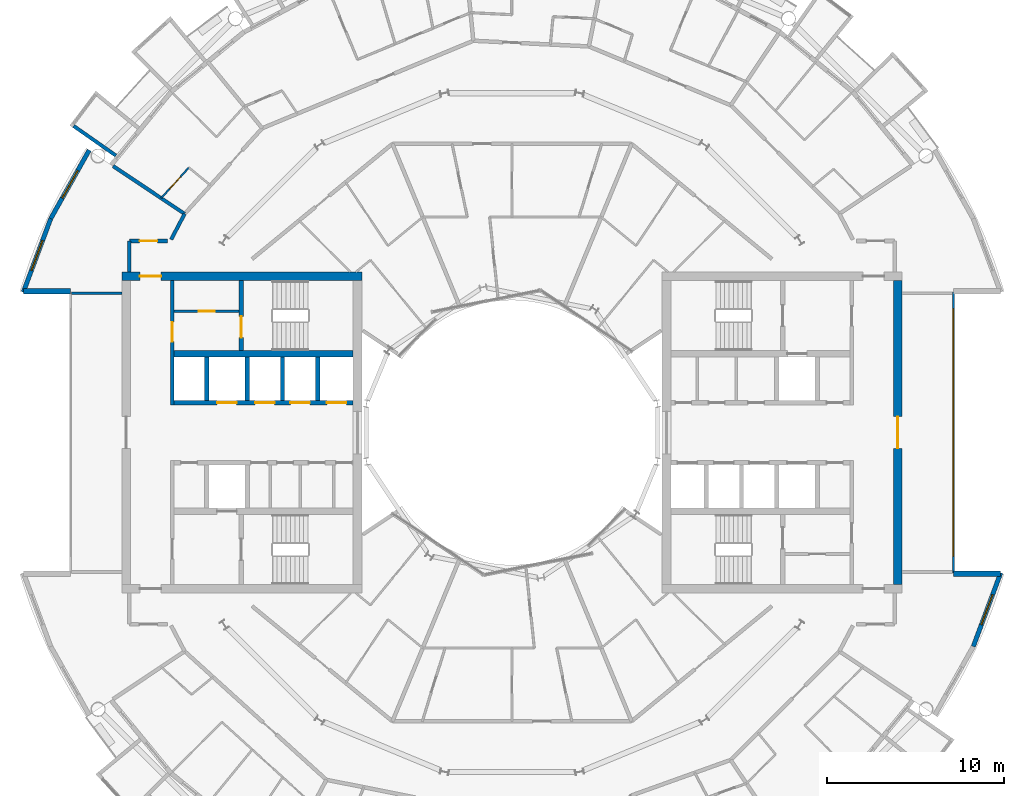
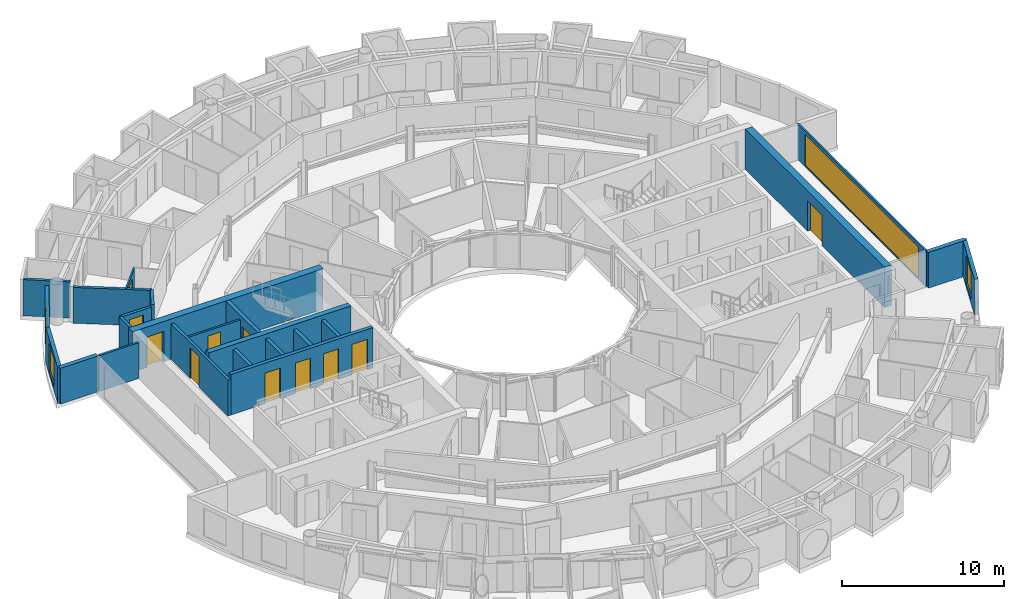
# One storey, part 19 of 28: 24 walls, 11 doors, 4 windows, 15 openings.
"""IFC4 building model written with IfcOpenShell, lengths in metres."""

from ifc_helpers import new_model, si_unit, direction, frame, frame_2d, origin, place, context, subcontext, project, spatial, rectangle, extrude, material, layer, layer_set, type_object, element, fill, save


model = new_model("IFC4")

# Units and contexts
model_context = context("Model", 3, precision=1e-05, world=origin(), true_north=direction((0.0, 1.0)))
body_context = subcontext(model_context, "Body", "Model", "MODEL_VIEW")
ifc_project = project(units=[si_unit("LENGTHUNIT", "METRE"), si_unit("AREAUNIT", "SQUARE_METRE"), si_unit("VOLUMEUNIT", "CUBIC_METRE"), si_unit("PLANEANGLEUNIT", "RADIAN"), si_unit("MASSUNIT", "GRAM", prefix="KILO")], contexts=[model_context])

# Site, building, storey
site_placement = place(None, origin())
site = spatial("IfcSite", under=ifc_project, at=site_placement, CompositionType="ELEMENT")
building_placement = place(site_placement, origin())
building = spatial("IfcBuilding", under=site, at=building_placement, Name="Maasbend Ring Residences", CompositionType="ELEMENT")
storey_placement = place(building_placement, frame((0.0, 0.0, 173.800048828125)))
storey = spatial("IfcBuildingStorey", under=building, at=storey_placement, Name="L50", CompositionType="ELEMENT", Elevation=173.800048828125)

# Wall, openings, doors
ifc_material_1 = material(Name="Concrete C60/75", Category="concrete")
ifc_layer_1 = layer(ifc_material_1, 0.25)
ifc_layer_set_1 = layer_set([ifc_layer_1], Name="Concrete C60/75")
wall_type_1 = type_object("IfcWallType", Name="CORE WALL 250 C60/75", PredefinedType="SHEAR", material=ifc_layer_set_1)
wall_1_placement = place(storey_placement, frame((-9.0, 1.699951171875, 0.0), z_axis=(0.0, 0.0, 1.0), x_axis=(-1.0, 0.0, 0.0)))
wall_1 = element("IfcWall", 1, at=wall_1_placement, inside=storey, type_object=wall_type_1, Name="L50 core W wall SPS", PredefinedType="SHEAR", context=body_context, shape_type="SweptSolid", body=[
    extrude(rectangle(XDim=10.14990234375, YDim=0.25, at=frame_2d((5.074951171875, 0.0))), origin(), (0.0, 0.0, 1.0), 3.050048828125),
])
opening_1_placement = place(wall_1_placement, frame((0.387451171875, 0.0, 0.0)))
opening_1 = element("IfcOpeningElement", 2, at=opening_1_placement, cuts=wall_1, Name="Opening LD-W5002", PredefinedType="OPENING", context=body_context, shape_type="SweptSolid", body=[
    extrude(rectangle(XDim=1.10009765625, YDim=2.300048828125, at=frame_2d((0.550048828125, 1.14990234375))), frame((0.0, 0.135009765625, 0.0), z_axis=(0.0, -1.0, 0.0), x_axis=(1.0, 0.0, 0.0)), (0.0, 0.0, 1.0), 0.27001953125),
])
opening_2_placement = place(wall_1_placement, frame((2.449951171875, 0.0, 0.0)))
opening_2 = element("IfcOpeningElement", 3, at=opening_2_placement, cuts=wall_1, Name="Opening LD-W5003", PredefinedType="OPENING", context=body_context, shape_type="SweptSolid", body=[
    extrude(rectangle(XDim=1.10009765625, YDim=2.300048828125, at=frame_2d((0.550048828125, 1.14990234375))), frame((0.0, 0.135009765625, 0.0), z_axis=(0.0, -1.0, 0.0), x_axis=(1.0, 0.0, 0.0)), (0.0, 0.0, 1.0), 0.27001953125),
])
opening_3_placement = place(wall_1_placement, frame((4.449951171875, 0.0, 0.0)))
opening_3 = element("IfcOpeningElement", 4, at=opening_3_placement, cuts=wall_1, Name="Opening LD-W5004", PredefinedType="OPENING", context=body_context, shape_type="SweptSolid", body=[
    extrude(rectangle(XDim=1.10009765625, YDim=2.300048828125, at=frame_2d((0.550048828125, 1.14990234375))), frame((0.0, 0.135009765625, 0.0), z_axis=(0.0, -1.0, 0.0), x_axis=(1.0, 0.0, 0.0)), (0.0, 0.0, 1.0), 0.27001953125),
])
opening_4_placement = place(wall_1_placement, frame((6.60009765625, 0.0, 0.0)))
opening_4 = element("IfcOpeningElement", 5, at=opening_4_placement, cuts=wall_1, Name="Opening LD-W5005", PredefinedType="OPENING", context=body_context, shape_type="SweptSolid", body=[
    extrude(rectangle(XDim=1.10009765625, YDim=2.300048828125, at=frame_2d((0.550048828125, 1.14990234375))), frame((0.0, 0.135009765625, 0.0), z_axis=(0.0, -1.0, 0.0), x_axis=(1.0, 0.0, 0.0)), (0.0, 0.0, 1.0), 0.27001953125),
])
ifc_material_2 = material(Name="Stainless steel 316", Category="steel")
door_type_1 = type_object("IfcDoorType", Name="LANDING DOOR 1100 X 2300 FD60", OperationType="DOUBLE_DOOR_SLIDING", PredefinedType="DOOR", material=ifc_material_2)
door_1_placement = place(opening_1_placement, origin())
door_1 = element("IfcDoor", 6, at=door_1_placement, inside=storey, type_object=door_type_1, Name="Landing door HR-W1 L50", OperationType="DOUBLE_DOOR_SLIDING", OverallHeight=2.300048828125, OverallWidth=1.10009765625, PredefinedType="DOOR", context=body_context, shape_type="SweptSolid", body=[
    extrude(rectangle(XDim=1.10009765625, YDim=2.300048828125, at=frame_2d((0.550048828125, 1.14990234375))), frame((0.0, 0.02490234375, 0.0), z_axis=(0.0, -1.0, 0.0), x_axis=(1.0, 0.0, 0.0)), (0.0, 0.0, 1.0), 0.050048828125),
])
fill(opening_1, door_1)
door_2_placement = place(opening_2_placement, origin())
door_2 = element("IfcDoor", 7, at=door_2_placement, inside=storey, type_object=door_type_1, Name="Landing door HR-W2 L50", OperationType="DOUBLE_DOOR_SLIDING", OverallHeight=2.300048828125, OverallWidth=1.10009765625, PredefinedType="DOOR", context=body_context, shape_type="SweptSolid", body=[
    extrude(rectangle(XDim=1.10009765625, YDim=2.300048828125, at=frame_2d((0.550048828125, 1.14990234375))), frame((0.0, 0.02490234375, 0.0), z_axis=(0.0, -1.0, 0.0), x_axis=(1.0, 0.0, 0.0)), (0.0, 0.0, 1.0), 0.050048828125),
])
fill(opening_2, door_2)
door_3_placement = place(opening_3_placement, origin())
door_3 = element("IfcDoor", 8, at=door_3_placement, inside=storey, type_object=door_type_1, Name="Landing door HR-W3 L50", OperationType="DOUBLE_DOOR_SLIDING", OverallHeight=2.300048828125, OverallWidth=1.10009765625, PredefinedType="DOOR", context=body_context, shape_type="SweptSolid", body=[
    extrude(rectangle(XDim=1.10009765625, YDim=2.300048828125, at=frame_2d((0.550048828125, 1.14990234375))), frame((0.0, 0.02490234375, 0.0), z_axis=(0.0, -1.0, 0.0), x_axis=(1.0, 0.0, 0.0)), (0.0, 0.0, 1.0), 0.050048828125),
])
fill(opening_3, door_3)
door_4_placement = place(opening_4_placement, origin())
door_4 = element("IfcDoor", 9, at=door_4_placement, inside=storey, type_object=door_type_1, Name="Landing door SV-W L50", OperationType="DOUBLE_DOOR_SLIDING", OverallHeight=2.300048828125, OverallWidth=1.10009765625, PredefinedType="DOOR", context=body_context, shape_type="SweptSolid", body=[
    extrude(rectangle(XDim=1.10009765625, YDim=2.300048828125, at=frame_2d((0.550048828125, 1.14990234375))), frame((0.0, 0.02490234375, 0.0), z_axis=(0.0, -1.0, 0.0), x_axis=(1.0, 0.0, 0.0)), (0.0, 0.0, 1.0), 0.050048828125),
])
fill(opening_4, door_4)

# Wall, opening, door
wall_2_placement = place(storey_placement, frame((-15.324951171875, 8.60009765625, 0.0), z_axis=(0.0, 0.0, 1.0), x_axis=(0.0, -1.0, 0.0)))
wall_2 = element("IfcWall", 10, at=wall_2_placement, inside=storey, type_object=wall_type_1, Name="L50 core W wall STES", PredefinedType="SHEAR", context=body_context, shape_type="SweptSolid", body=[
    extrude(rectangle(XDim=3.9501953125, YDim=0.25, at=frame_2d((1.97509765625, 0.0))), origin(), (0.0, 0.0, 1.0), 3.050048828125),
])
opening_5_placement = place(wall_2_placement, frame((2.02490234375, 0.0, 0.0)))
opening_5 = element("IfcOpeningElement", 11, at=opening_5_placement, cuts=wall_2, Name="Opening D-W5013", PredefinedType="OPENING", context=body_context, shape_type="SweptSolid", body=[
    extrude(rectangle(XDim=1.199951171875, YDim=2.300048828125, at=frame_2d((0.60009765625, 1.14990234375))), frame((0.0, 0.135009765625, 0.0), z_axis=(0.0, -1.0, 0.0), x_axis=(1.0, 0.0, 0.0)), (0.0, 0.0, 1.0), 0.27001953125),
])
ifc_material_3 = material(Name="Steel, powder coated", Category="steel")
door_type_2 = type_object("IfcDoorType", Name="STAIR DOOR 1200 X 2300 FD60", OperationType="NOTDEFINED", PredefinedType="DOOR", material=ifc_material_3)
door_5_placement = place(opening_5_placement, origin())
door_5 = element("IfcDoor", 12, at=door_5_placement, inside=storey, type_object=door_type_2, Name="Stair door ST-W L50", OperationType="SINGLE_SWING_LEFT", OverallHeight=2.300048828125, OverallWidth=1.199951171875, PredefinedType="DOOR", context=body_context, shape_type="SweptSolid", body=[
    extrude(rectangle(XDim=1.199951171875, YDim=2.300048828125, at=frame_2d((0.60009765625, 1.14990234375))), frame((0.0, 0.02490234375, 0.0), z_axis=(0.0, -1.0, 0.0), x_axis=(1.0, 0.0, 0.0)), (0.0, 0.0, 1.0), 0.050048828125),
])
fill(opening_5, door_5)

# Wall
ifc_material_4 = material(Name="Concrete C60/75", Category="concrete")
ifc_layer_2 = layer(ifc_material_4, 0.375)
ifc_layer_set_2 = layer_set([ifc_layer_2], Name="Concrete C60/75")
wall_type_2 = type_object("IfcWallType", Name="CORE WALL 375 C60/75", PredefinedType="SHEAR", material=ifc_layer_set_2)
wall_3_placement = place(storey_placement, frame((-9.0, 4.46240234375, 0.0), z_axis=(0.0, 0.0, 1.0), x_axis=(-1.0, 0.0, 0.0)))
element("IfcWall", 13, at=wall_3_placement, inside=storey, type_object=wall_type_2, Name="L50 core W wall BS", PredefinedType="SHEAR", context=body_context, shape_type="SweptSolid", body=[
    extrude(rectangle(XDim=10.14990234375, YDim=0.375, at=frame_2d((5.074951171875, 0.0))), origin(), (0.0, 0.0, 1.0), 3.050048828125),
])

# Wall, opening, door
ifc_material_5 = material(Name="Concrete C60/75", Category="concrete")
ifc_layer_3 = layer(ifc_material_5, 0.5)
ifc_layer_set_3 = layer_set([ifc_layer_3], Name="Concrete C60/75")
wall_type_3 = type_object("IfcWallType", Name="CORE WALL 500 C60/75", PredefinedType="SHEAR", material=ifc_layer_set_3)
wall_4_placement = place(storey_placement, frame((21.85009765625, 8.60009765625, 0.0), z_axis=(0.0, 0.0, 1.0), x_axis=(0.0, -1.0, 0.0)))
wall_4 = element("IfcWall", 14, at=wall_4_placement, inside=storey, type_object=wall_type_3, Name="L50 core E wall POUT", PredefinedType="SHEAR", context=body_context, shape_type="SweptSolid", body=[
    extrude(rectangle(XDim=17.2001953125, YDim=0.5, at=frame_2d((8.60009765625, 0.0))), origin(), (0.0, 0.0, 1.0), 3.050048828125),
])
opening_6_placement = place(wall_4_placement, frame((7.699951171875, 0.0, 0.0)))
opening_6 = element("IfcOpeningElement", 15, at=opening_6_placement, cuts=wall_4, Name="Opening D-E5018", PredefinedType="OPENING", context=body_context, shape_type="SweptSolid", body=[
    extrude(rectangle(XDim=1.800048828125, YDim=2.300048828125, at=frame_2d((0.89990234375, 1.14990234375))), frame((0.0, 0.260009765625, 0.0), z_axis=(0.0, -1.0, 0.0), x_axis=(1.0, 0.0, 0.0)), (0.0, 0.0, 1.0), 0.52001953125),
])
ifc_material_6 = material(Name="Aluminium frame, clear glass", Category="aluminium")
door_type_3 = type_object("IfcDoorType", Name="ENTRANCE DOOR 1800 X 2300 FD60", OperationType="NOTDEFINED", PredefinedType="DOOR", material=ifc_material_6)
door_6_placement = place(opening_6_placement, origin())
door_6 = element("IfcDoor", 16, at=door_6_placement, inside=storey, type_object=door_type_3, Name="Lobby glazed door L50", OperationType="SINGLE_SWING_LEFT", OverallHeight=2.300048828125, OverallWidth=1.800048828125, PredefinedType="DOOR", context=body_context, shape_type="SweptSolid", body=[
    extrude(rectangle(XDim=1.800048828125, YDim=2.300048828125, at=frame_2d((0.89990234375, 1.14990234375))), frame((0.0, 0.02490234375, 0.0), z_axis=(0.0, -1.0, 0.0), x_axis=(1.0, 0.0, 0.0)), (0.0, 0.0, 1.0), 0.050048828125),
])
fill(opening_6, door_6)

wall_5_placement = place(storey_placement, frame((-8.5, 8.85009765625, 0.0), z_axis=(0.0, 0.0, 1.0), x_axis=(-1.0, 0.0, 0.0)))
wall_5 = element("IfcWall", 17, at=wall_5_placement, inside=storey, type_object=wall_type_3, Name="L50 core W wall PS", PredefinedType="SHEAR", context=body_context, shape_type="SweptSolid", body=[
    extrude(rectangle(XDim=13.60009765625, YDim=0.5, at=frame_2d((6.800048828125, 0.0))), origin(), (0.0, 0.0, 1.0), 3.050048828125),
])
opening_7_placement = place(wall_5_placement, frame((11.375, 0.0, 0.0)))
opening_7 = element("IfcOpeningElement", 18, at=opening_7_placement, cuts=wall_5, Name="Opening D-W5017", PredefinedType="OPENING", context=body_context, shape_type="SweptSolid", body=[
    extrude(rectangle(XDim=1.199951171875, YDim=2.300048828125, at=frame_2d((0.60009765625, 1.14990234375))), frame((0.0, 0.260009765625, 0.0), z_axis=(0.0, -1.0, 0.0), x_axis=(1.0, 0.0, 0.0)), (0.0, 0.0, 1.0), 0.52001953125),
])
ifc_material_7 = material(Name="Steel, powder coated", Category="steel")
door_type_4 = type_object("IfcDoorType", Name="CORRIDOR DOOR 1200 X 2300 FD30S", OperationType="NOTDEFINED", PredefinedType="DOOR", material=ifc_material_7)
door_7_placement = place(opening_7_placement, origin())
door_7 = element("IfcDoor", 19, at=door_7_placement, inside=storey, type_object=door_type_4, Name="Corridor door L50", OperationType="SINGLE_SWING_LEFT", OverallHeight=2.300048828125, OverallWidth=1.199951171875, PredefinedType="DOOR", context=body_context, shape_type="SweptSolid", body=[
    extrude(rectangle(XDim=1.199951171875, YDim=2.300048828125, at=frame_2d((0.60009765625, 1.14990234375))), frame((0.0, 0.02490234375, 0.0), z_axis=(0.0, -1.0, 0.0), x_axis=(1.0, 0.0, 0.0)), (0.0, 0.0, 1.0), 0.050048828125),
])
fill(opening_7, door_7)

ifc_material_8 = material(Name="Concrete C30/37", Category="concrete")
ifc_layer_4 = layer(ifc_material_8, 0.199951171875)
ifc_layer_set_4 = layer_set([ifc_layer_4], Name="Concrete C30/37")
wall_type_4 = type_object("IfcWallType", Name="CORRIDOR WALL 200 CONCRETE", PredefinedType="PARTITIONING", material=ifc_layer_set_4)
wall_6_placement = place(storey_placement, frame((-21.675048828125, 10.85009765625, 0.0), z_axis=(0.0, 0.0, 1.0), x_axis=(1.0, 0.0, 0.0)))
wall_6 = element("IfcWall", 20, at=wall_6_placement, inside=storey, type_object=wall_type_4, Name="U-L50-w096", PredefinedType="PARTITIONING", context=body_context, shape_type="SweptSolid", body=[
    extrude(rectangle(XDim=2.171142578125, YDim=0.199951171875, at=frame_2d((1.08544921875, 0.0))), origin(), (0.0, 0.0, 1.0), 2.699951171875),
])
opening_8_placement = place(wall_6_placement, frame((0.5849609375, 0.0, 0.0)))
opening_8 = element("IfcOpeningElement", 21, at=opening_8_placement, cuts=wall_6, Name="Opening D-5066", PredefinedType="OPENING", context=body_context, shape_type="SweptSolid", body=[
    extrude(rectangle(XDim=1.0, YDim=2.300048828125, at=frame_2d((0.5, 1.14990234375))), frame((0.0, 0.10986328125, 0.0), z_axis=(0.0, -1.0, 0.0), x_axis=(1.0, 0.0, 0.0)), (0.0, 0.0, 1.0), 0.219970703125),
])
ifc_material_9 = material(Name="Timber, painted", Category="wood")
door_type_5 = type_object("IfcDoorType", Name="ROOM DOOR 1000 X 2300", OperationType="NOTDEFINED", PredefinedType="DOOR", material=ifc_material_9)
door_8_placement = place(opening_8_placement, origin())
door_8 = element("IfcDoor", 22, at=door_8_placement, inside=storey, type_object=door_type_5, Name="D-5066", OperationType="SINGLE_SWING_LEFT", OverallHeight=2.300048828125, OverallWidth=1.0, PredefinedType="DOOR", context=body_context, shape_type="SweptSolid", body=[
    extrude(rectangle(XDim=1.0, YDim=2.300048828125, at=frame_2d((0.5, 1.14990234375))), frame((0.0, 0.02490234375, 0.0), z_axis=(0.0, -1.0, 0.0), x_axis=(1.0, 0.0, 0.0)), (0.0, 0.0, 1.0), 0.050048828125),
])
fill(opening_8, door_8)

# Walls
wall_7_placement = place(storey_placement, frame((-21.675048828125, 9.10009765625, 0.0), z_axis=(0.0, 0.0, 1.0), x_axis=(0.0, 1.0, 0.0)))
element("IfcWall", 23, at=wall_7_placement, inside=storey, type_object=wall_type_4, Name="U-L50-w109", PredefinedType="PARTITIONING", context=body_context, shape_type="SweptSolid", body=[
    extrude(rectangle(XDim=1.75, YDim=0.199951171875, at=frame_2d((0.875, 0.0))), origin(), (0.0, 0.0, 1.0), 2.699951171875),
])
wall_8_placement = place(storey_placement, frame((-19.306884765625, 10.93505859375, 0.0), z_axis=(0.0, 0.0, 1.0), x_axis=(0.465605550524, 0.884992356646, 0.0)))
element("IfcWall", 24, at=wall_8_placement, inside=storey, type_object=wall_type_4, Name="U-L50-w114", PredefinedType="PARTITIONING", context=body_context, shape_type="SweptSolid", body=[
    extrude(rectangle(XDim=1.642822265625, YDim=0.199951171875, at=frame_2d((0.8212890625, 0.0))), origin(), (0.0, 0.0, 1.0), 2.699951171875),
])
ifc_material_10 = material(Name="Pale anodised aluminium panel", Category="aluminium")
ifc_layer_5 = layer(ifc_material_10, 0.199951171875)
ifc_layer_set_5 = layer_set([ifc_layer_5], Name="EW-BOX")
wall_type_5 = type_object("IfcWallType", Name="EW-BOX", PredefinedType="SOLIDWALL", material=ifc_layer_set_5)
wall_9_placement = place(storey_placement, frame((-22.43310546875, 15.68798828125, -0.030029296875), z_axis=(0.0, 0.0, 1.0), x_axis=(-0.819373043115, 0.573260687834, 0.0)))
element("IfcWall", 25, at=wall_9_placement, inside=storey, type_object=wall_type_5, Name="Box side wall N20 right", PredefinedType="SOLIDWALL", context=body_context, shape_type="SweptSolid", body=[
    extrude(rectangle(XDim=2.92529296875, YDim=0.199951171875, at=frame_2d((1.462646484375, 0.0))), origin(), (0.0, 0.0, 1.0), 2.72998046875),
])

# Wall, opening, window
ifc_material_11 = material(Name="Aluminium clad insulated panel", Category="aluminium")
ifc_layer_6 = layer(ifc_material_11, 0.25)
ifc_layer_set_6 = layer_set([ifc_layer_6], Name="EW-HORN")
wall_type_6 = type_object("IfcWallType", Name="EW-HORN", PredefinedType="SOLIDWALL", material=ifc_layer_set_6)
wall_10_placement = place(storey_placement, frame((26.126953125, -12.116943359375, 0.0), z_axis=(0.0, 0.0, 1.0), x_axis=(0.349247811493, 0.937030397675, 0.0)))
wall_10 = element("IfcWall", 26, at=wall_10_placement, inside=storey, type_object=wall_type_6, Name="Horn wall 2.2", PredefinedType="SOLIDWALL", context=body_context, shape_type="SweptSolid", body=[
    extrude(rectangle(XDim=4.4521484375, YDim=0.25, at=frame_2d((2.22607421875, 0.0))), origin(), (0.0, 0.0, 1.0), 2.699951171875),
])
opening_9_placement = place(wall_10_placement, frame((1.32666015625, 0.0, 0.300048828125)))
opening_9 = element("IfcOpeningElement", 27, at=opening_9_placement, cuts=wall_10, Name="Opening W-BX", PredefinedType="OPENING", context=body_context, shape_type="SweptSolid", body=[
    extrude(rectangle(XDim=1.800048828125, YDim=2.10009765625, at=frame_2d((0.89990234375, 1.050048828125))), frame((0.0, 0.135009765625, 0.0), z_axis=(0.0, -1.0, 0.0), x_axis=(1.0, 0.0, 0.0)), (0.0, 0.0, 1.0), 0.27001953125),
])
ifc_material_12 = material(Name="Aluminium and clear glass", Category="aluminium")
window_type_1 = type_object("IfcWindowType", Name="W-BX", PartitioningType="DOUBLE_PANEL_VERTICAL", PredefinedType="WINDOW", material=ifc_material_12)
window_1_placement = place(opening_9_placement, origin())
window_1 = element("IfcWindow", 28, at=window_1_placement, inside=storey, type_object=window_type_1, Name="Horn window 2.2", OverallHeight=2.10009765625, OverallWidth=1.800048828125, PartitioningType="SINGLE_PANEL", PredefinedType="WINDOW", context=body_context, shape_type="SweptSolid", body=[
    extrude(rectangle(XDim=1.800048828125, YDim=2.10009765625, at=frame_2d((0.89990234375, 1.050048828125))), frame((0.0, 0.030029296875, 0.0), z_axis=(0.0, -1.0, 0.0), x_axis=(1.0, 0.0, 0.0)), (0.0, 0.0, 1.0), 0.06005859375),
])
fill(opening_9, window_1)

wall_11_placement = place(storey_placement, frame((-23.946044921875, 16.0, 0.0), z_axis=(0.0, 0.0, 1.0), x_axis=(-0.489696356642, -0.871893042919, 0.0)))
wall_11 = element("IfcWall", 29, at=wall_11_placement, inside=storey, type_object=wall_type_6, Name="Horn wall 4.1", PredefinedType="SOLIDWALL", context=body_context, shape_type="SweptSolid", body=[
    extrude(rectangle(XDim=4.45361328125, YDim=0.25, at=frame_2d((2.226806640625, 0.0))), origin(), (0.0, 0.0, 1.0), 2.699951171875),
])
opening_10_placement = place(wall_11_placement, frame((1.32666015625, 0.0, 0.300048828125)))
opening_10 = element("IfcOpeningElement", 30, at=opening_10_placement, cuts=wall_11, Name="Opening W-BX", PredefinedType="OPENING", context=body_context, shape_type="SweptSolid", body=[
    extrude(rectangle(XDim=1.800048828125, YDim=2.10009765625, at=frame_2d((0.89990234375, 1.050048828125))), frame((0.0, 0.135009765625, 0.0), z_axis=(0.0, -1.0, 0.0), x_axis=(1.0, 0.0, 0.0)), (0.0, 0.0, 1.0), 0.27001953125),
])
window_2_placement = place(opening_10_placement, origin())
window_2 = element("IfcWindow", 31, at=window_2_placement, inside=storey, type_object=window_type_1, Name="Horn window 4.1", OverallHeight=2.10009765625, OverallWidth=1.800048828125, PartitioningType="SINGLE_PANEL", PredefinedType="WINDOW", context=body_context, shape_type="SweptSolid", body=[
    extrude(rectangle(XDim=1.800048828125, YDim=2.10009765625, at=frame_2d((0.89990234375, 1.050048828125))), frame((0.0, 0.030029296875, 0.0), z_axis=(0.0, -1.0, 0.0), x_axis=(1.0, 0.0, 0.0)), (0.0, 0.0, 1.0), 0.06005859375),
])
fill(opening_10, window_2)

wall_12_placement = place(storey_placement, frame((-26.126953125, 12.116943359375, 0.0), z_axis=(0.0, 0.0, 1.0), x_axis=(-0.349247811493, -0.937030397675, 0.0)))
wall_12 = element("IfcWall", 32, at=wall_12_placement, inside=storey, type_object=wall_type_6, Name="Horn wall 4.2", PredefinedType="SOLIDWALL", context=body_context, shape_type="SweptSolid", body=[
    extrude(rectangle(XDim=4.4521484375, YDim=0.25, at=frame_2d((2.22607421875, 0.0))), origin(), (0.0, 0.0, 1.0), 2.699951171875),
])
opening_11_placement = place(wall_12_placement, frame((1.32666015625, 0.0, 0.300048828125)))
opening_11 = element("IfcOpeningElement", 33, at=opening_11_placement, cuts=wall_12, Name="Opening W-BX", PredefinedType="OPENING", context=body_context, shape_type="SweptSolid", body=[
    extrude(rectangle(XDim=1.800048828125, YDim=2.10009765625, at=frame_2d((0.89990234375, 1.050048828125))), frame((0.0, 0.135009765625, 0.0), z_axis=(0.0, -1.0, 0.0), x_axis=(1.0, 0.0, 0.0)), (0.0, 0.0, 1.0), 0.27001953125),
])
window_3_placement = place(opening_11_placement, origin())
window_3 = element("IfcWindow", 34, at=window_3_placement, inside=storey, type_object=window_type_1, Name="Horn window 4.2", OverallHeight=2.10009765625, OverallWidth=1.800048828125, PartitioningType="SINGLE_PANEL", PredefinedType="WINDOW", context=body_context, shape_type="SweptSolid", body=[
    extrude(rectangle(XDim=1.800048828125, YDim=2.10009765625, at=frame_2d((0.89990234375, 1.050048828125))), frame((0.0, 0.030029296875, 0.0), z_axis=(0.0, -1.0, 0.0), x_axis=(1.0, 0.0, 0.0)), (0.0, 0.0, 1.0), 0.06005859375),
])
fill(opening_11, window_3)

# Walls
ifc_material_13 = material(Name="Aluminium clad insulated panel", Category="aluminium")
ifc_layer_7 = layer(ifc_material_13, 0.300048828125)
ifc_layer_set_7 = layer_set([ifc_layer_7], Name="EW-RET")
wall_type_7 = type_object("IfcWallType", Name="EW-RET", PredefinedType="SOLIDWALL", material=ifc_layer_set_7)
for number, where, z_axis, x_axis, name in (
    (35, (25.0, -8.0, 0.0), (0.0, 0.0, 1.0), (1.0, 0.0, 0.0), "Notch return wall east south"),
    (36, (-25.0, 8.0, 0.0), (0.0, 0.0, 1.0), (-1.0, 0.0, 0.0), "Notch return wall west north"),
):
    element("IfcWall", number, at=place(storey_placement, frame(where, z_axis=z_axis, x_axis=x_axis)), inside=storey, type_object=wall_type_7, Name=name, PredefinedType="SOLIDWALL", context=body_context, shape_type="SweptSolid", body=[
        extrude(rectangle(XDim=2.6669921875, YDim=0.300048828125, at=frame_2d((1.33349609375, 0.0))), origin(), (0.0, 0.0, 1.0), 2.699951171875),
    ])

# Wall, opening, window
ifc_material_14 = material(Name="Aluminium frame and clear glass", Category="aluminium")
ifc_layer_8 = layer(ifc_material_14, 0.1201171875)
ifc_layer_set_8 = layer_set([ifc_layer_8], Name="GLAZED SCREEN WALL 120 EI 60")
wall_type_8 = type_object("IfcWallType", Name="GLAZED SCREEN WALL 120 EI 60", PredefinedType="PARTITIONING", material=ifc_layer_set_8)
wall_13_placement = place(storey_placement, frame((25.0, -7.949951171875, 0.0), z_axis=(0.0, 0.0, 1.0), x_axis=(0.0, 1.0, 0.0)))
wall_13 = element("IfcWall", 37, at=wall_13_placement, inside=storey, type_object=wall_type_8, Name="L50 core E wall FACE", PredefinedType="PARTITIONING", context=body_context, shape_type="SweptSolid", body=[
    extrude(rectangle(XDim=15.89990234375, YDim=0.1201171875, at=frame_2d((7.949951171875, 0.0))), origin(), (0.0, 0.0, 1.0), 2.699951171875),
])
opening_12_placement = place(wall_13_placement, frame((0.949951171875, 0.0, 0.10009765625)))
opening_12 = element("IfcOpeningElement", 38, at=opening_12_placement, cuts=wall_13, Name="Opening W-E5002", PredefinedType="OPENING", context=body_context, shape_type="SweptSolid", body=[
    extrude(rectangle(XDim=14.0, YDim=2.35009765625, at=frame_2d((7.0, 1.175048828125))), frame((0.0, 0.070068359375, 0.0), z_axis=(0.0, -1.0, 0.0), x_axis=(1.0, 0.0, 0.0)), (0.0, 0.0, 1.0), 0.14013671875),
])
ifc_material_15 = material(Name="Aluminium frame and clear glass", Category="aluminium")
window_type_2 = type_object("IfcWindowType", Name="FIXED WINDOW 14000 X 2350", PartitioningType="SINGLE_PANEL", PredefinedType="WINDOW", material=ifc_material_15)
window_4_placement = place(opening_12_placement, origin())
window_4 = element("IfcWindow", 39, at=window_4_placement, inside=storey, type_object=window_type_2, Name="Lobby window L50", OverallHeight=2.35009765625, OverallWidth=14.0, PartitioningType="SINGLE_PANEL", PredefinedType="WINDOW", context=body_context, shape_type="SweptSolid", body=[
    extrude(rectangle(XDim=14.0, YDim=2.35009765625, at=frame_2d((7.0, 1.175048828125))), frame((0.0, 0.030029296875, 0.0), z_axis=(0.0, -1.0, 0.0), x_axis=(1.0, 0.0, 0.0)), (0.0, 0.0, 1.0), 0.06005859375),
])
fill(opening_12, window_4)

# Wall, opening, door
ifc_material_16 = material(Name="Gypsum board on steel studs", Category="steel")
ifc_layer_9 = layer(ifc_material_16, 0.10009765625)
ifc_layer_set_9 = layer_set([ifc_layer_9], Name="PARTITION 100 GYPSUM")
wall_type_9 = type_object("IfcWallType", Name="PARTITION 100 GYPSUM", PredefinedType="PARTITIONING", material=ifc_layer_set_9)
wall_14_placement = place(storey_placement, frame((-19.8720703125, 13.278076171875, 0.0), z_axis=(0.0, 0.0, 1.0), x_axis=(0.671637685376, 0.740879760544, 0.0)))
wall_14 = element("IfcWall", 40, at=wall_14_placement, inside=storey, type_object=wall_type_9, Name="U-L50-w122", PredefinedType="PARTITIONING", context=body_context, shape_type="SweptSolid", body=[
    extrude(rectangle(XDim=2.337646484375, YDim=0.10009765625, at=frame_2d((1.1689453125, 0.0))), origin(), (0.0, 0.0, 1.0), 2.699951171875),
])
opening_13_placement = place(wall_14_placement, frame((0.718994140625, 0.0, 0.0)))
opening_13 = element("IfcOpeningElement", 41, at=opening_13_placement, cuts=wall_14, Name="Opening D-5018", PredefinedType="OPENING", context=body_context, shape_type="SweptSolid", body=[
    extrude(rectangle(XDim=0.89990234375, YDim=2.300048828125, at=frame_2d((0.449951171875, 1.14990234375))), frame((0.0, 0.06005859375, 0.0), z_axis=(0.0, -1.0, 0.0), x_axis=(1.0, 0.0, 0.0)), (0.0, 0.0, 1.0), 0.1201171875),
])
ifc_material_17 = material(Name="Timber, painted", Category="wood")
door_type_6 = type_object("IfcDoorType", Name="INTERNAL DOOR 900 X 2300", OperationType="NOTDEFINED", PredefinedType="DOOR", material=ifc_material_17)
door_9_placement = place(opening_13_placement, origin())
door_9 = element("IfcDoor", 42, at=door_9_placement, inside=storey, type_object=door_type_6, Name="D-5018", OperationType="SINGLE_SWING_LEFT", OverallHeight=2.300048828125, OverallWidth=0.89990234375, PredefinedType="DOOR", context=body_context, shape_type="SweptSolid", body=[
    extrude(rectangle(XDim=0.89990234375, YDim=2.300048828125, at=frame_2d((0.449951171875, 1.14990234375))), frame((0.0, 0.02490234375, 0.0), z_axis=(0.0, -1.0, 0.0), x_axis=(1.0, 0.0, 0.0)), (0.0, 0.0, 1.0), 0.050048828125),
])
fill(opening_13, door_9)

ifc_material_18 = material(Name="Gypsum board on steel studs", Category="steel")
ifc_layer_10 = layer(ifc_material_18, 0.14990234375)
ifc_layer_set_10 = layer_set([ifc_layer_10], Name="PARTITION 150 EI 60")
wall_type_10 = type_object("IfcWallType", Name="PARTITION 150 EI 60", PredefinedType="PARTITIONING", material=ifc_layer_set_10)
wall_15_placement = place(storey_placement, frame((-15.449951171875, 6.875, 0.0), z_axis=(0.0, 0.0, 1.0), x_axis=(-1.0, 0.0, 0.0)))
wall_15 = element("IfcWall", 43, at=wall_15_placement, inside=storey, type_object=wall_type_10, Name="L50 core W wall RHS", PredefinedType="PARTITIONING", context=body_context, shape_type="SweptSolid", body=[
    extrude(rectangle(XDim=3.699951171875, YDim=0.14990234375, at=frame_2d((1.85009765625, 0.0))), origin(), (0.0, 0.0, 1.0), 2.699951171875),
])
opening_14_placement = place(wall_15_placement, frame((1.39990234375, 0.0, 0.0)))
opening_14 = element("IfcOpeningElement", 44, at=opening_14_placement, cuts=wall_15, Name="Opening D-W5011", PredefinedType="OPENING", context=body_context, shape_type="SweptSolid", body=[
    extrude(rectangle(XDim=0.89990234375, YDim=2.300048828125, at=frame_2d((0.449951171875, 1.14990234375))), frame((0.0, 0.0849609375, 0.0), z_axis=(0.0, -1.0, 0.0), x_axis=(1.0, 0.0, 0.0)), (0.0, 0.0, 1.0), 0.169921875),
])
ifc_material_19 = material(Name="Steel, powder coated", Category="steel")
door_type_7 = type_object("IfcDoorType", Name="RISER DOOR 900 X 2300 FD60", OperationType="NOTDEFINED", PredefinedType="DOOR", material=ifc_material_19)
door_10_placement = place(opening_14_placement, origin())
door_10 = element("IfcDoor", 45, at=door_10_placement, inside=storey, type_object=door_type_7, Name="Riser door L50", OperationType="SINGLE_SWING_LEFT", OverallHeight=2.300048828125, OverallWidth=0.89990234375, PredefinedType="DOOR", context=body_context, shape_type="SweptSolid", body=[
    extrude(rectangle(XDim=0.89990234375, YDim=2.300048828125, at=frame_2d((0.449951171875, 1.14990234375))), frame((0.0, 0.02490234375, 0.0), z_axis=(0.0, -1.0, 0.0), x_axis=(1.0, 0.0, 0.0)), (0.0, 0.0, 1.0), 0.050048828125),
])
fill(opening_14, door_10)

# Walls
wall_16_placement = place(storey_placement, frame((-22.10009765625, 7.89990234375, 0.0), z_axis=(0.0, 0.0, 1.0), x_axis=(-1.0, 0.0, 0.0)))
element("IfcWall", 46, at=wall_16_placement, inside=storey, type_object=wall_type_10, Name="L50 core W wall CITS", PredefinedType="PARTITIONING", context=body_context, shape_type="SweptSolid", body=[
    extrude(rectangle(XDim=2.83984375, YDim=0.14990234375, at=frame_2d((1.419921875, 0.0))), origin(), (0.0, 0.0, 1.0), 2.699951171875),
])
ifc_material_20 = material(Name="Concrete C30/37", Category="concrete")
ifc_layer_11 = layer(ifc_material_20, 0.199951171875)
ifc_layer_set_11 = layer_set([ifc_layer_11], Name="Concrete C30/37")
wall_type_11 = type_object("IfcWallType", Name="PARTY WALL 200 CONCRETE", PredefinedType="PARTITIONING", material=ifc_layer_set_11)
wall_17_placement = place(storey_placement, frame((-22.594970703125, 15.097900390625, 0.0), z_axis=(0.0, 0.0, 1.0), x_axis=(0.831387096605, -0.55569370664, 0.0)))
element("IfcWall", 47, at=wall_17_placement, inside=storey, type_object=wall_type_11, Name="U-L50-w034", PredefinedType="PARTITIONING", context=body_context, shape_type="SweptSolid", body=[
    extrude(rectangle(XDim=4.875, YDim=0.199951171875, at=frame_2d((2.4375, 0.0))), origin(), (0.0, 0.0, 1.0), 2.699951171875),
])

# Wall, opening, door
ifc_material_21 = material(Name="Concrete C30/37", Category="concrete")
ifc_layer_12 = layer(ifc_material_21, 0.199951171875)
ifc_layer_set_12 = layer_set([ifc_layer_12], Name="Concrete C30/37")
wall_type_12 = type_object("IfcWallType", Name="SHAFT WALL 200 EI 120", PredefinedType="SOLIDWALL", material=ifc_layer_set_12)
wall_18_placement = place(storey_placement, frame((-19.25, 8.60009765625, 0.0), z_axis=(0.0, 0.0, 1.0), x_axis=(0.0, -1.0, 0.0)))
wall_18 = element("IfcWall", 48, at=wall_18_placement, inside=storey, type_object=wall_type_12, Name="L50 core W wall ENDS", PredefinedType="SOLIDWALL", context=body_context, shape_type="SweptSolid", body=[
    extrude(rectangle(XDim=7.025146484375, YDim=0.199951171875, at=frame_2d((3.5126953125, 0.0))), origin(), (0.0, 0.0, 1.0), 2.699951171875),
])
opening_15_placement = place(wall_18_placement, frame((2.35009765625, 0.0, 0.0)))
opening_15 = element("IfcOpeningElement", 49, at=opening_15_placement, cuts=wall_18, Name="Opening D-W5015", PredefinedType="OPENING", context=body_context, shape_type="SweptSolid", body=[
    extrude(rectangle(XDim=1.10009765625, YDim=2.300048828125, at=frame_2d((0.550048828125, 1.14990234375))), frame((0.0, 0.10986328125, 0.0), z_axis=(0.0, -1.0, 0.0), x_axis=(1.0, 0.0, 0.0)), (0.0, 0.0, 1.0), 0.219970703125),
])
ifc_material_22 = material(Name="Steel, powder coated", Category="steel")
door_type_8 = type_object("IfcDoorType", Name="LOBBY DOOR 1100 X 2300 FD60", OperationType="NOTDEFINED", PredefinedType="DOOR", material=ifc_material_22)
door_11_placement = place(opening_15_placement, origin())
door_11 = element("IfcDoor", 50, at=door_11_placement, inside=storey, type_object=door_type_8, Name="Lobby door L50", OperationType="SINGLE_SWING_RIGHT", OverallHeight=2.300048828125, OverallWidth=1.10009765625, PredefinedType="DOOR", context=body_context, shape_type="SweptSolid", body=[
    extrude(rectangle(XDim=1.10009765625, YDim=2.300048828125, at=frame_2d((0.550048828125, 1.14990234375))), frame((0.0, 0.02490234375, 0.0), z_axis=(0.0, -1.0, 0.0), x_axis=(1.0, 0.0, 0.0)), (0.0, 0.0, 1.0), 0.050048828125),
])
fill(opening_15, door_11)

# Walls
ifc_material_23 = material(Name="Concrete C30/37", Category="concrete")
ifc_layer_13 = layer(ifc_material_23, 0.25)
ifc_layer_set_13 = layer_set([ifc_layer_13], Name="Concrete C30/37")
wall_type_13 = type_object("IfcWallType", Name="SHAFT WALL 250 EI 120", PredefinedType="SOLIDWALL", material=ifc_layer_set_13)
for number, where, z_axis, x_axis, name in (
    (51, (-15.0, 1.824951171875, 0.0), (0.0, 0.0, 1.0), (0.0, 1.0, 0.0), "L50 core W wall D150S"),
    (52, (-17.300048828125, 1.824951171875, 0.0), (0.0, 0.0, 1.0), (0.0, 1.0, 0.0), "L50 core W wall D173S"),
    (53, (-11.0, 1.824951171875, 0.0), (0.0, 0.0, 1.0), (0.0, 1.0, 0.0), "L50 core W wall D110S"),
    (54, (-13.0, 1.824951171875, 0.0), (0.0, 0.0, 1.0), (0.0, 1.0, 0.0), "L50 core W wall D130S"),
):
    element("IfcWall", number, at=place(storey_placement, frame(where, z_axis=z_axis, x_axis=x_axis)), inside=storey, type_object=wall_type_13, Name=name, PredefinedType="SOLIDWALL", context=body_context, shape_type="SweptSolid", body=[
        extrude(rectangle(XDim=2.449951171875, YDim=0.25, at=frame_2d((1.22509765625, 0.0))), origin(), (0.0, 0.0, 1.0), 2.699951171875),
    ])

save(model, "model.ifc")
